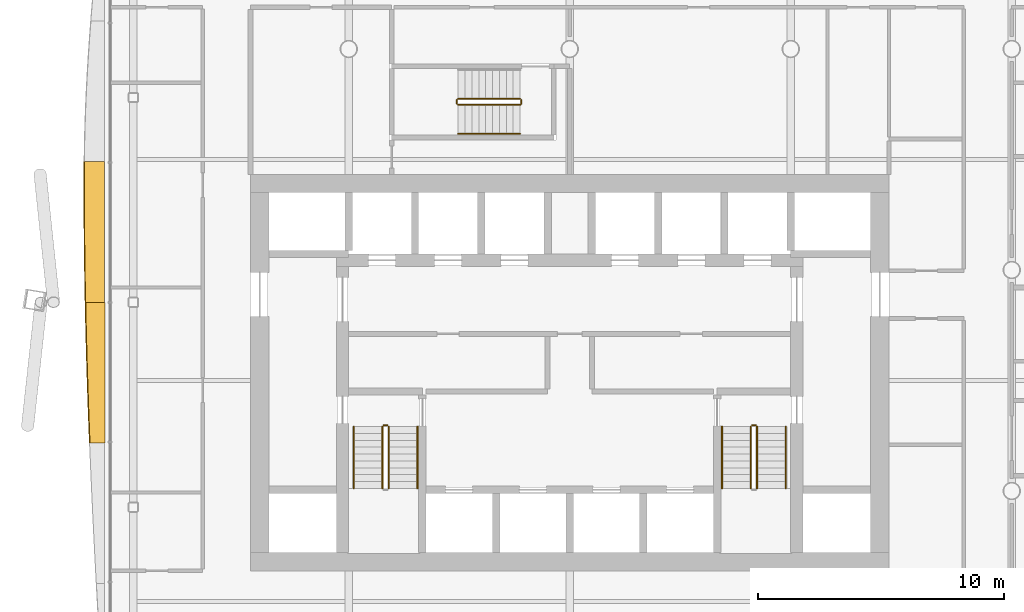
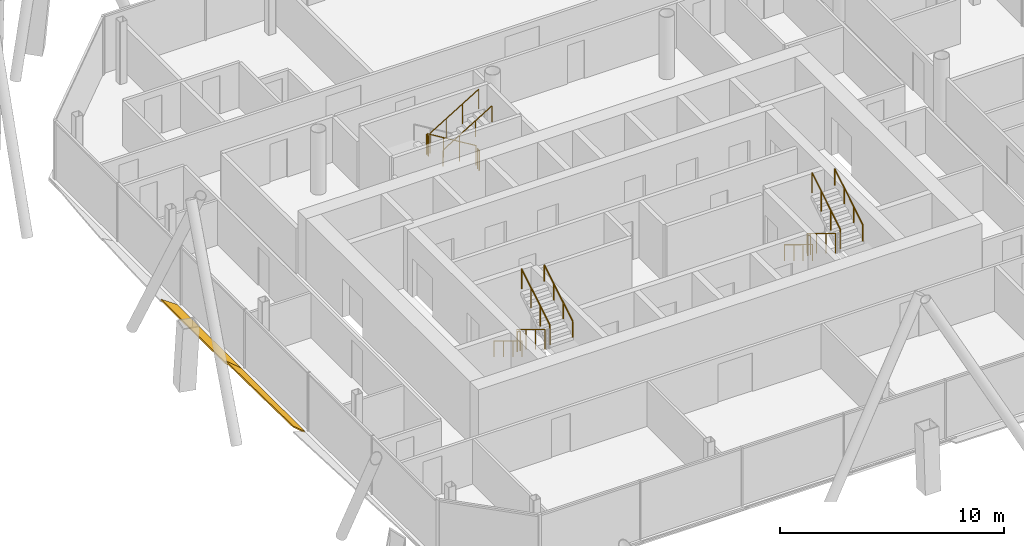
# One storey, part 19 of 20: 15 railings, 2 shading devices.
"""IFC4 building model written with IfcOpenShell, lengths in metres."""

from ifc_helpers import new_model, si_unit, direction, frame, origin, origin_2d, place, context, subcontext, project, spatial, polyline, circle, outline, extrude, material, layer, layer_set, type_object, element, save


model = new_model("IFC4")

# Units and contexts
model_context = context("Model", 3, precision=1e-05, world=origin(), true_north=direction((0.0, 1.0)))
body_context = subcontext(model_context, "Body", "Model", "MODEL_VIEW")
ifc_project = project(units=[si_unit("LENGTHUNIT", "METRE"), si_unit("AREAUNIT", "SQUARE_METRE"), si_unit("VOLUMEUNIT", "CUBIC_METRE"), si_unit("PLANEANGLEUNIT", "RADIAN"), si_unit("MASSUNIT", "GRAM", prefix="KILO")], contexts=[model_context])

# Site, building, storey
site_placement = place(None, origin())
site = spatial("IfcSite", under=ifc_project, at=site_placement, CompositionType="ELEMENT")
building_placement = place(site_placement, origin())
building = spatial("IfcBuilding", under=site, at=building_placement, Name="Tskaro Facet Tower", CompositionType="ELEMENT")
storey_placement = place(building_placement, frame((0.0, 0.0, 152.10009765625)))
storey = spatial("IfcBuildingStorey", under=building, at=storey_placement, Name="L37", CompositionType="ELEMENT", Elevation=152.10009765625)

# Shading devices
ifc_material_1 = material(Name="Bronze anodised aluminium 6063-T6", Category="aluminium")
ifc_layer = layer(ifc_material_1, 0.06005859375, Name="Bronze anodised aluminium 6063-T6")
ifc_layer_set = layer_set([ifc_layer], Name="Bronze anodised aluminium 6063-T6")
shading_device_type = type_object("IfcShadingDeviceType", Name="Bronze sun blade (FN1)", PredefinedType="USERDEFINED", material=ifc_layer_set)
shading_device_1_placement = place(storey_placement, frame((-18.939697265625, 4.411376953125, 0.049072265625), z_axis=(0.573624633762, 6.223265e-06, 0.819118293962), x_axis=(3.569818e-06, -0.999999999981, 5.09759e-06)))
element("IfcShadingDevice", 1, at=shading_device_1_placement, inside=storey, type_object=shading_device_type, Name="Fin blade west 3", ObjectType="FIN", PredefinedType="USERDEFINED", context=body_context, shape_type="SweptSolid", body=[
    extrude(outline(polyline([(0.0, 0.0), (5.726806640514103, 0.0), (5.726806640715786, -0.9469369214140122), (5.010986327587175, -0.9632575371982266), (4.295166016079759, -0.9770781071292518), (3.5793457032059313, -0.9886585462349642), (2.8635253903357794, -0.9972588692820372), (2.147705078215283, -1.0035591265281614), (1.4316406249749203, -1.0074192728967322), (0.7788085936120068, -1.0082993032066634), (0.7158203123632266, -1.0082993032066634), (-2.411186685291047e-10, -1.003219101399316), (0.0, 0.0)])), origin(), (0.0, 0.0, -1.0), 0.06005859375),
])
shading_device_2_placement = place(storey_placement, frame((-18.935546875, -1.3154296875, 0.0458984375), z_axis=(0.642864926717, 5.500069e-06, 0.765979559758), x_axis=(3.535802e-06, -0.999999999985, 4.212941e-06)))
element("IfcShadingDevice", 2, at=shading_device_2_placement, inside=storey, type_object=shading_device_type, Name="Fin blade west 4", ObjectType="FIN", PredefinedType="USERDEFINED", context=body_context, shape_type="SweptSolid", body=[
    extrude(outline(polyline([(0.0, 0.0), (5.72680664053838, -2.4253969535820463e-21), (5.726806640445362, -0.7831052874179963), (5.01098632845376, -0.8198351573559802), (4.295166015470256, -0.8545012902531983), (3.5793457032213154, -0.8867296726527316), (2.863525390843704, -0.9167073112830397), (2.1477050773088733, -0.9442772566991211), (1.4318847655371547, -0.9695664010625193), (0.715820312846453, -0.9922608454832313), (-3.7647258217402417e-10, -1.0125475966897164), (0.0, 0.0)])), origin(), (0.0, 0.0, -1.0), 0.06005859375),
])

# Railings
ifc_material_2 = material(Name="Stainless steel", Category="steel")
railing_type_1 = type_object("IfcRailingType", Name="RL-GUARD-1100", PredefinedType="GUARDRAIL", material=ifc_material_2)
railing_1_placement = place(storey_placement, frame((-7.625, -6.375, 0.169921875)))
element("IfcRailing", 3, at=railing_1_placement, inside=storey, type_object=railing_type_1, Name="L37 ST-1 stair guard 1", PredefinedType="GUARDRAIL", context=body_context, shape_type="SweptSolid", body=[
    extrude(circle(Radius=0.02392578125, at=origin_2d()), frame((0.0, 0.0, 1.076171875), z_axis=(0.0, -0.85478489116, 0.518982456201), x_axis=(1.0, 0.0, 0.0)), (0.0, 0.0, 1.0), 2.9482421875),
    extrude(circle(Radius=0.02099609375, at=origin_2d()), origin(), (0.0, 0.0, 1.0), 1.052001953125),
    extrude(circle(Radius=0.02099609375, at=origin_2d()), frame((0.0, -0.840087890625, 0.510009765625)), (0.0, 0.0, 1.0), 1.052001953125),
    extrude(circle(Radius=0.02099609375, at=origin_2d()), frame((0.0, -1.679931640625, 1.02001953125)), (0.0, 0.0, 1.0), 1.052001953125),
    extrude(circle(Radius=0.02099609375, at=origin_2d()), frame((0.0, -2.52001953125, 1.530029296875)), (0.0, 0.0, 1.0), 1.052001953125),
])
railing_2_placement = place(storey_placement, frame((-7.375, -8.89501953125, 1.869873046875)))
element("IfcRailing", 4, at=railing_2_placement, inside=storey, type_object=railing_type_1, Name="L37 ST-1 stair guard 3", PredefinedType="GUARDRAIL", context=body_context, shape_type="SweptSolid", body=[
    extrude(circle(Radius=0.02392578125, at=origin_2d()), frame((0.0, 0.0, 1.076171875), z_axis=(0.0, 0.85478489116, 0.518982456201), x_axis=(-1.0, 0.0, 0.0)), (0.0, 0.0, 1.0), 2.9482421875),
    extrude(circle(Radius=0.02099609375, at=origin_2d()), origin(), (0.0, 0.0, 1.0), 1.052001953125),
    extrude(circle(Radius=0.02099609375, at=origin_2d()), frame((0.0, 0.840087890625, 0.510009765625)), (0.0, 0.0, 1.0), 1.052001953125),
    extrude(circle(Radius=0.02099609375, at=origin_2d()), frame((0.0, 1.679931640625, 1.02001953125)), (0.0, 0.0, 1.0), 1.052001953125),
    extrude(circle(Radius=0.02099609375, at=origin_2d()), frame((0.0, 2.52001953125, 1.530029296875)), (0.0, 0.0, 1.0), 1.052001953125),
])
railing_3_placement = place(storey_placement, frame((-7.574951171875, -6.324951171875, 0.0)))
element("IfcRailing", 5, at=railing_3_placement, inside=storey, type_object=railing_type_1, Name="L37 ST-1 stair guard 4", PredefinedType="GUARDRAIL", context=body_context, shape_type="SweptSolid", body=[
    extrude(circle(Radius=0.02392578125, at=origin_2d()), frame((0.0, 0.0, 1.076171875), z_axis=(1.0, 0.0, 0.0), x_axis=(0.0, 1.0, 0.0)), (0.0, 0.0, 1.0), 0.14990234375),
    extrude(circle(Radius=0.02099609375, at=origin_2d()), origin(), (0.0, 0.0, 1.0), 1.052001953125),
    extrude(circle(Radius=0.02099609375, at=origin_2d()), frame((0.14990234375, 0.0, 0.0)), (0.0, 0.0, 1.0), 1.052001953125),
])
railing_4_placement = place(storey_placement, frame((7.375, -6.375, 0.169921875)))
element("IfcRailing", 6, at=railing_4_placement, inside=storey, type_object=railing_type_1, Name="L37 ST-2 stair guard 1", PredefinedType="GUARDRAIL", context=body_context, shape_type="SweptSolid", body=[
    extrude(circle(Radius=0.02392578125, at=origin_2d()), frame((0.0, 0.0, 1.076171875), z_axis=(0.0, -0.85478489116, 0.518982456201), x_axis=(1.0, 0.0, 0.0)), (0.0, 0.0, 1.0), 2.9482421875),
    extrude(circle(Radius=0.02099609375, at=origin_2d()), origin(), (0.0, 0.0, 1.0), 1.052001953125),
    extrude(circle(Radius=0.02099609375, at=origin_2d()), frame((0.0, -0.840087890625, 0.510009765625)), (0.0, 0.0, 1.0), 1.052001953125),
    extrude(circle(Radius=0.02099609375, at=origin_2d()), frame((0.0, -1.679931640625, 1.02001953125)), (0.0, 0.0, 1.0), 1.052001953125),
    extrude(circle(Radius=0.02099609375, at=origin_2d()), frame((0.0, -2.52001953125, 1.530029296875)), (0.0, 0.0, 1.0), 1.052001953125),
])
railing_5_placement = place(storey_placement, frame((7.625, -8.89501953125, 1.869873046875)))
element("IfcRailing", 7, at=railing_5_placement, inside=storey, type_object=railing_type_1, Name="L37 ST-2 stair guard 3", PredefinedType="GUARDRAIL", context=body_context, shape_type="SweptSolid", body=[
    extrude(circle(Radius=0.02392578125, at=origin_2d()), frame((0.0, 0.0, 1.076171875), z_axis=(0.0, 0.85478489116, 0.518982456201), x_axis=(-1.0, 0.0, 0.0)), (0.0, 0.0, 1.0), 2.9482421875),
    extrude(circle(Radius=0.02099609375, at=origin_2d()), origin(), (0.0, 0.0, 1.0), 1.052001953125),
    extrude(circle(Radius=0.02099609375, at=origin_2d()), frame((0.0, 0.840087890625, 0.510009765625)), (0.0, 0.0, 1.0), 1.052001953125),
    extrude(circle(Radius=0.02099609375, at=origin_2d()), frame((0.0, 1.679931640625, 1.02001953125)), (0.0, 0.0, 1.0), 1.052001953125),
    extrude(circle(Radius=0.02099609375, at=origin_2d()), frame((0.0, 2.52001953125, 1.530029296875)), (0.0, 0.0, 1.0), 1.052001953125),
])
railing_6_placement = place(storey_placement, frame((7.425048828125, -6.324951171875, 0.0)))
element("IfcRailing", 8, at=railing_6_placement, inside=storey, type_object=railing_type_1, Name="L37 ST-2 stair guard 4", PredefinedType="GUARDRAIL", context=body_context, shape_type="SweptSolid", body=[
    extrude(circle(Radius=0.02392578125, at=origin_2d()), frame((0.0, 0.0, 1.076171875), z_axis=(1.0, 0.0, 0.0), x_axis=(0.0, 1.0, 0.0)), (0.0, 0.0, 1.0), 0.14990234375),
    extrude(circle(Radius=0.02099609375, at=origin_2d()), origin(), (0.0, 0.0, 1.0), 1.052001953125),
    extrude(circle(Radius=0.02099609375, at=origin_2d()), frame((0.14990234375, 0.0, 0.0)), (0.0, 0.0, 1.0), 1.052001953125),
])
railing_7_placement = place(storey_placement, frame((-2.02490234375, 6.97509765625, 0.169921875)))
element("IfcRailing", 9, at=railing_7_placement, inside=storey, type_object=railing_type_1, Name="L37 ST-3 stair guard 1", PredefinedType="GUARDRAIL", context=body_context, shape_type="SweptSolid", body=[
    extrude(circle(Radius=0.02392578125, at=origin_2d()), frame((0.0, 0.0, 1.076171875), z_axis=(-0.85478489116, 0.0, 0.518982456201), x_axis=(0.0, -1.0, 0.0)), (0.0, 0.0, 1.0), 2.9482421875),
    extrude(circle(Radius=0.02099609375, at=origin_2d()), origin(), (0.0, 0.0, 1.0), 1.052001953125),
    extrude(circle(Radius=0.02099609375, at=origin_2d()), frame((-0.840087890625, 0.0, 0.510009765625)), (0.0, 0.0, 1.0), 1.052001953125),
    extrude(circle(Radius=0.02099609375, at=origin_2d()), frame((-1.679931640625, 0.0, 1.02001953125)), (0.0, 0.0, 1.0), 1.052001953125),
    extrude(circle(Radius=0.02099609375, at=origin_2d()), frame((-2.52001953125, 0.0, 1.530029296875)), (0.0, 0.0, 1.0), 1.052001953125),
])
railing_8_placement = place(storey_placement, frame((-4.594970703125, 6.925048828125, 1.699951171875)))
element("IfcRailing", 10, at=railing_8_placement, inside=storey, type_object=railing_type_1, Name="L37 ST-3 stair guard 2", PredefinedType="GUARDRAIL", context=body_context, shape_type="SweptSolid", body=[
    extrude(circle(Radius=0.02392578125, at=origin_2d()), frame((0.0, 0.0, 1.076171875), z_axis=(0.0, -1.0, 0.0), x_axis=(1.0, 0.0, 0.0)), (0.0, 0.0, 1.0), 0.150146484375),
    extrude(circle(Radius=0.02099609375, at=origin_2d()), origin(), (0.0, 0.0, 1.0), 1.052001953125),
    extrude(circle(Radius=0.02099609375, at=origin_2d()), frame((0.0, -0.150146484375, 0.0)), (0.0, 0.0, 1.0), 1.052001953125),
])
railing_9_placement = place(storey_placement, frame((-4.544921875, 6.72509765625, 1.869873046875)))
element("IfcRailing", 11, at=railing_9_placement, inside=storey, type_object=railing_type_1, Name="L37 ST-3 stair guard 3", PredefinedType="GUARDRAIL", context=body_context, shape_type="SweptSolid", body=[
    extrude(circle(Radius=0.02392578125, at=origin_2d()), frame((0.0, 0.0, 1.076171875), z_axis=(0.85478489116, 0.0, 0.518982456201), x_axis=(0.0, 1.0, 0.0)), (0.0, 0.0, 1.0), 2.9482421875),
    extrude(circle(Radius=0.02099609375, at=origin_2d()), origin(), (0.0, 0.0, 1.0), 1.052001953125),
    extrude(circle(Radius=0.02099609375, at=origin_2d()), frame((0.840087890625, 0.0, 0.510009765625)), (0.0, 0.0, 1.0), 1.052001953125),
    extrude(circle(Radius=0.02099609375, at=origin_2d()), frame((1.679931640625, 0.0, 1.02001953125)), (0.0, 0.0, 1.0), 1.052001953125),
    extrude(circle(Radius=0.02099609375, at=origin_2d()), frame((2.52001953125, 0.0, 1.530029296875)), (0.0, 0.0, 1.0), 1.052001953125),
])
railing_10_placement = place(storey_placement, frame((-1.97509765625, 6.925048828125, 0.0)))
element("IfcRailing", 12, at=railing_10_placement, inside=storey, type_object=railing_type_1, Name="L37 ST-3 stair guard 4", PredefinedType="GUARDRAIL", context=body_context, shape_type="SweptSolid", body=[
    extrude(circle(Radius=0.02392578125, at=origin_2d()), frame((0.0, 0.0, 1.076171875), z_axis=(0.0, -1.0, 0.0), x_axis=(1.0, 0.0, 0.0)), (0.0, 0.0, 1.0), 0.150146484375),
    extrude(circle(Radius=0.02099609375, at=origin_2d()), origin(), (0.0, 0.0, 1.0), 1.052001953125),
    extrude(circle(Radius=0.02099609375, at=origin_2d()), frame((0.0, -0.150146484375, 0.0)), (0.0, 0.0, 1.0), 1.052001953125),
])
railing_type_2 = type_object("IfcRailingType", Name="RL-HANDRAIL-900", PredefinedType="HANDRAIL", material=ifc_material_2)
railing_11_placement = place(storey_placement, frame((-8.800048828125, -6.375, 0.169921875)))
element("IfcRailing", 13, at=railing_11_placement, inside=storey, type_object=railing_type_2, Name="L37 ST-1 stair handrail 1", PredefinedType="HANDRAIL", context=body_context, shape_type="SweptSolid", body=[
    extrude(circle(Radius=0.02392578125, at=origin_2d()), frame((0.0, 0.0, 0.8759765625), z_axis=(0.0, -0.85478489116, 0.518982456201), x_axis=(1.0, 0.0, 0.0)), (0.0, 0.0, 1.0), 2.9482421875),
    extrude(circle(Radius=0.02099609375, at=origin_2d()), origin(), (0.0, 0.0, 1.0), 0.851806640625),
    extrude(circle(Radius=0.02099609375, at=origin_2d()), frame((0.0, -0.840087890625, 0.510009765625)), (0.0, 0.0, 1.0), 0.851806640625),
    extrude(circle(Radius=0.02099609375, at=origin_2d()), frame((0.0, -1.679931640625, 1.02001953125)), (0.0, 0.0, 1.0), 0.851806640625),
    extrude(circle(Radius=0.02099609375, at=origin_2d()), frame((0.0, -2.52001953125, 1.530029296875)), (0.0, 0.0, 1.0), 0.851806640625),
])
railing_12_placement = place(storey_placement, frame((-6.199951171875, -8.89501953125, 1.869873046875)))
element("IfcRailing", 14, at=railing_12_placement, inside=storey, type_object=railing_type_2, Name="L37 ST-1 stair handrail 2", PredefinedType="HANDRAIL", context=body_context, shape_type="SweptSolid", body=[
    extrude(circle(Radius=0.02392578125, at=origin_2d()), frame((0.0, 0.0, 0.8759765625), z_axis=(0.0, 0.85478489116, 0.518982456201), x_axis=(-1.0, 0.0, 0.0)), (0.0, 0.0, 1.0), 2.9482421875),
    extrude(circle(Radius=0.02099609375, at=origin_2d()), origin(), (0.0, 0.0, 1.0), 0.851806640625),
    extrude(circle(Radius=0.02099609375, at=origin_2d()), frame((0.0, 0.840087890625, 0.510009765625)), (0.0, 0.0, 1.0), 0.851806640625),
    extrude(circle(Radius=0.02099609375, at=origin_2d()), frame((0.0, 1.679931640625, 1.02001953125)), (0.0, 0.0, 1.0), 0.851806640625),
    extrude(circle(Radius=0.02099609375, at=origin_2d()), frame((0.0, 2.52001953125, 1.530029296875)), (0.0, 0.0, 1.0), 0.851806640625),
])
railing_13_placement = place(storey_placement, frame((6.199951171875, -6.375, 0.169921875)))
element("IfcRailing", 15, at=railing_13_placement, inside=storey, type_object=railing_type_2, Name="L37 ST-2 stair handrail 1", PredefinedType="HANDRAIL", context=body_context, shape_type="SweptSolid", body=[
    extrude(circle(Radius=0.02392578125, at=origin_2d()), frame((0.0, 0.0, 0.8759765625), z_axis=(0.0, -0.85478489116, 0.518982456201), x_axis=(1.0, 0.0, 0.0)), (0.0, 0.0, 1.0), 2.9482421875),
    extrude(circle(Radius=0.02099609375, at=origin_2d()), origin(), (0.0, 0.0, 1.0), 0.851806640625),
    extrude(circle(Radius=0.02099609375, at=origin_2d()), frame((0.0, -0.840087890625, 0.510009765625)), (0.0, 0.0, 1.0), 0.851806640625),
    extrude(circle(Radius=0.02099609375, at=origin_2d()), frame((0.0, -1.679931640625, 1.02001953125)), (0.0, 0.0, 1.0), 0.851806640625),
    extrude(circle(Radius=0.02099609375, at=origin_2d()), frame((0.0, -2.52001953125, 1.530029296875)), (0.0, 0.0, 1.0), 0.851806640625),
])
railing_14_placement = place(storey_placement, frame((8.800048828125, -8.89501953125, 1.869873046875)))
element("IfcRailing", 16, at=railing_14_placement, inside=storey, type_object=railing_type_2, Name="L37 ST-2 stair handrail 2", PredefinedType="HANDRAIL", context=body_context, shape_type="SweptSolid", body=[
    extrude(circle(Radius=0.02392578125, at=origin_2d()), frame((0.0, 0.0, 0.8759765625), z_axis=(0.0, 0.85478489116, 0.518982456201), x_axis=(-1.0, 0.0, 0.0)), (0.0, 0.0, 1.0), 2.9482421875),
    extrude(circle(Radius=0.02099609375, at=origin_2d()), origin(), (0.0, 0.0, 1.0), 0.851806640625),
    extrude(circle(Radius=0.02099609375, at=origin_2d()), frame((0.0, 0.840087890625, 0.510009765625)), (0.0, 0.0, 1.0), 0.851806640625),
    extrude(circle(Radius=0.02099609375, at=origin_2d()), frame((0.0, 1.679931640625, 1.02001953125)), (0.0, 0.0, 1.0), 0.851806640625),
    extrude(circle(Radius=0.02099609375, at=origin_2d()), frame((0.0, 2.52001953125, 1.530029296875)), (0.0, 0.0, 1.0), 0.851806640625),
])
railing_15_placement = place(storey_placement, frame((-4.544921875, 5.550048828125, 1.869873046875)))
element("IfcRailing", 17, at=railing_15_placement, inside=storey, type_object=railing_type_2, Name="L37 ST-3 stair handrail 2", PredefinedType="HANDRAIL", context=body_context, shape_type="SweptSolid", body=[
    extrude(circle(Radius=0.02392578125, at=origin_2d()), frame((0.0, 0.0, 0.8759765625), z_axis=(0.85478489116, 0.0, 0.518982456201), x_axis=(0.0, 1.0, 0.0)), (0.0, 0.0, 1.0), 2.9482421875),
    extrude(circle(Radius=0.02099609375, at=origin_2d()), origin(), (0.0, 0.0, 1.0), 0.851806640625),
    extrude(circle(Radius=0.02099609375, at=origin_2d()), frame((0.840087890625, 0.0, 0.510009765625)), (0.0, 0.0, 1.0), 0.851806640625),
    extrude(circle(Radius=0.02099609375, at=origin_2d()), frame((1.679931640625, 0.0, 1.02001953125)), (0.0, 0.0, 1.0), 0.851806640625),
    extrude(circle(Radius=0.02099609375, at=origin_2d()), frame((2.52001953125, 0.0, 1.530029296875)), (0.0, 0.0, 1.0), 0.851806640625),
])

save(model, "model.ifc")
